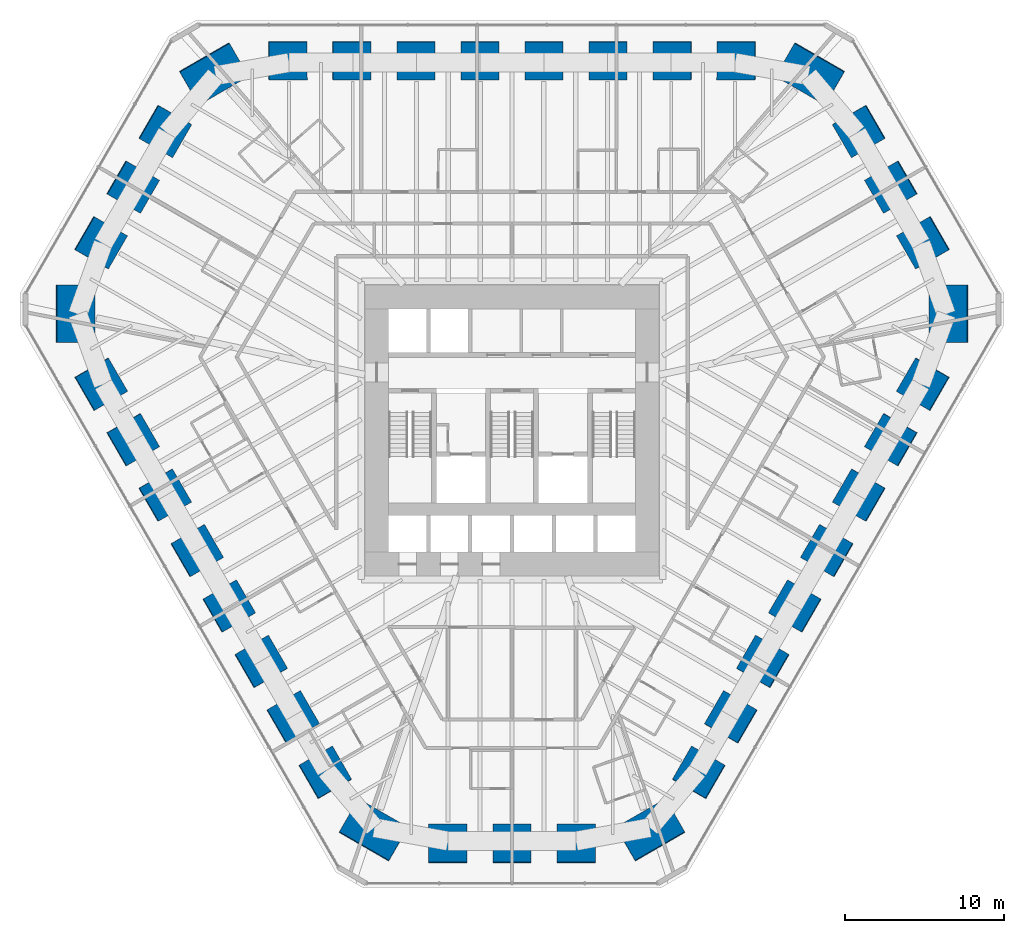
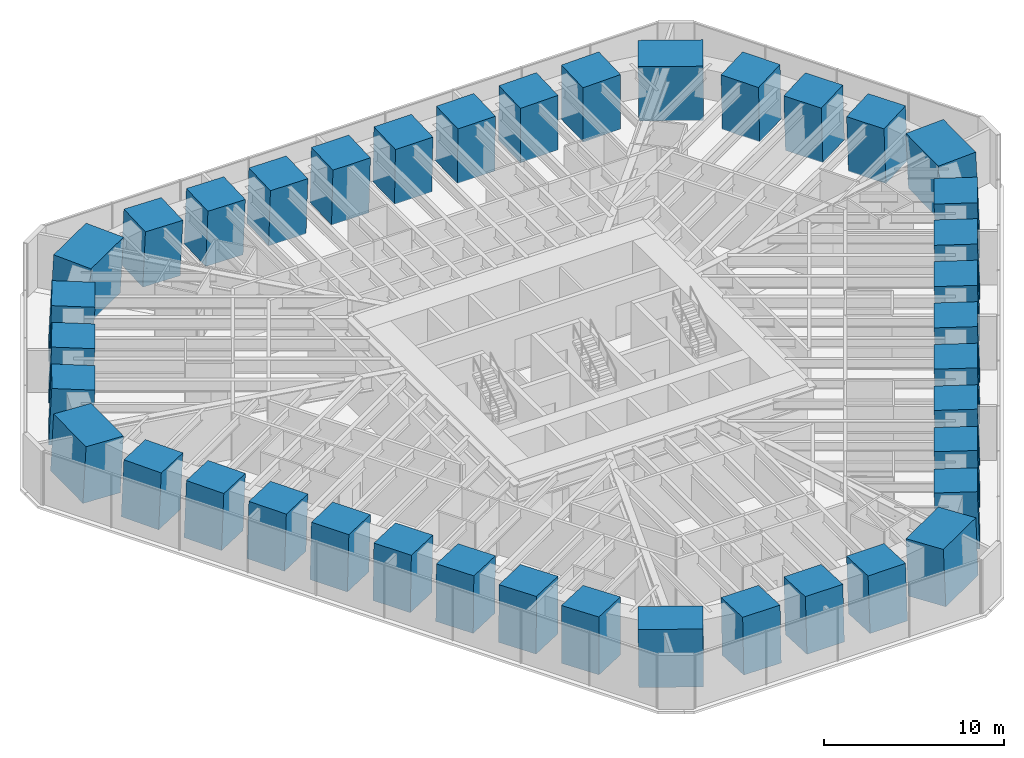
# One storey, part 1 of 17: 39 columns.
"""IFC4 building model written with IfcOpenShell, lengths in metres."""

from ifc_helpers import new_model, si_unit, direction, frame, origin, origin_2d, place, context, subcontext, project, spatial, rectangle, extrude, material, material_profile, profile_set, type_object, element, save


model = new_model("IFC4")

# Units and contexts
model_context = context("Model", 3, precision=1e-05, world=origin(), true_north=direction((0.0, 1.0)))
body_context = subcontext(model_context, "Body", "Model", "MODEL_VIEW")
ifc_project = project(units=[si_unit("LENGTHUNIT", "METRE"), si_unit("AREAUNIT", "SQUARE_METRE"), si_unit("VOLUMEUNIT", "CUBIC_METRE"), si_unit("PLANEANGLEUNIT", "RADIAN"), si_unit("MASSUNIT", "GRAM", prefix="KILO")], contexts=[model_context])

# Site, building, storey
site_placement = place(None, origin())
site = spatial("IfcSite", under=ifc_project, at=site_placement, CompositionType="ELEMENT")
building_placement = place(site_placement, origin())
building = spatial("IfcBuilding", under=site, at=building_placement, Name="Sandreach Pilgrim Tower", CompositionType="ELEMENT")
storey_placement = place(building_placement, frame((0.0, 0.0, 83.800048828125)))
storey = spatial("IfcBuildingStorey", under=building, at=storey_placement, Name="L20", CompositionType="ELEMENT", Elevation=83.800048828125)

# Columns
ifc_material_1 = material(Name="Concrete 10000 psi", Category="concrete")
ifc_material_profile_1 = material_profile(ifc_material_1, rectangle(XDim=2.39990234375, YDim=2.39990234375, at=origin_2d()), Name="RC2400X2400")
ifc_profile_set_1 = profile_set([ifc_material_profile_1], Name="Concrete 10000 psi")
column_type_1 = type_object("IfcColumnType", Name="Raked tube column RC2400X2400", PredefinedType="COLUMN", material=ifc_profile_set_1)
column_1_placement = place(storey_placement, frame((-14.098388671875, 21.708740234375, 0.0), z_axis=(0.02387684412, -0.036713857088, 0.999040534219), x_axis=(0.000229526905, 0.999325609369, 0.036718847706)))
element("IfcColumn", 1, at=column_1_placement, inside=storey, type_object=column_type_1, Name="COL L20 T01", PredefinedType="COLUMN", context=body_context, shape_type="SweptSolid", body=[
    extrude(rectangle(XDim=2.39990234375, YDim=2.39990234375, at=origin_2d()), origin(), (0.0, 0.0, 1.0), 3.8037109375),
])
column_2_placement = place(storey_placement, frame((-10.0703125, 21.708984375, 0.0), z_axis=(0.017011430722, -0.036719012729, 0.999180827142), x_axis=(0.001112013962, 0.99932551115, 0.036705397281)))
element("IfcColumn", 2, at=column_2_placement, inside=storey, type_object=column_type_1, Name="COL L20 T02", PredefinedType="COLUMN", context=body_context, shape_type="SweptSolid", body=[
    extrude(rectangle(XDim=2.39990234375, YDim=2.39990234375, at=origin_2d()), origin(), (0.0, 0.0, 1.0), 3.80322265625),
])
for number, where, z_axis, x_axis, name in (
    (3, (-6.042236328125, 21.709228515625, 0.0), (0.01020782781, -0.036658299869, 0.999275722362), (0.00025244801, 0.9993278512, 0.036657633396), "COL L20 T03"),
    (4, (-2.01416015625, 21.709716796875, 0.0), (0.003402758843, -0.036724114306, 0.999319648892), (0.000242365854, 0.999325435323, 0.036723501678), "COL L20 T04"),
    (5, (2.01416015625, 21.709716796875, 0.0), (-0.003402758843, -0.036724114306, 0.999319648892), (-0.000242365854, 0.999325435323, 0.036723501678), "COL L20 T05"),
    (6, (6.042236328125, 21.709228515625, 0.0), (-0.01020782781, -0.036658299869, 0.999275722362), (-0.00025244801, 0.9993278512, 0.036657633396), "COL L20 T06"),
):
    element("IfcColumn", number, at=place(storey_placement, frame(where, z_axis=z_axis, x_axis=x_axis)), inside=storey, type_object=column_type_1, Name=name, PredefinedType="COLUMN", context=body_context, shape_type="SweptSolid", body=[
        extrude(rectangle(XDim=2.39990234375, YDim=2.39990234375, at=origin_2d()), origin(), (0.0, 0.0, 1.0), 3.802734375),
    ])
column_3_placement = place(storey_placement, frame((10.0703125, 21.708984375, 0.0), z_axis=(-0.017011430722, -0.036719012729, 0.999180827142), x_axis=(-0.001112013962, 0.99932551115, 0.036705397281)))
element("IfcColumn", 7, at=column_3_placement, inside=storey, type_object=column_type_1, Name="COL L20 T07", PredefinedType="COLUMN", context=body_context, shape_type="SweptSolid", body=[
    extrude(rectangle(XDim=2.39990234375, YDim=2.39990234375, at=origin_2d()), origin(), (0.0, 0.0, 1.0), 3.80322265625),
])
column_4_placement = place(storey_placement, frame((14.098388671875, 21.708740234375, 0.0), z_axis=(-0.02387684412, -0.036713857088, 0.999040534219), x_axis=(-0.000229526905, 0.999325609369, 0.036718847706)))
element("IfcColumn", 8, at=column_4_placement, inside=storey, type_object=column_type_1, Name="COL L20 T08", PredefinedType="COLUMN", context=body_context, shape_type="SweptSolid", body=[
    extrude(rectangle(XDim=2.39990234375, YDim=2.39990234375, at=origin_2d()), origin(), (0.0, 0.0, 1.0), 3.8037109375),
])
column_5_placement = place(storey_placement, frame((21.8173828125, 17.26416015625, 0.0), z_axis=(-0.036388620428, -0.028815680022, 0.998922181598), x_axis=(0.865087115008, 0.499515154746, 0.045922691853)))
element("IfcColumn", 9, at=column_5_placement, inside=storey, type_object=column_type_1, Name="COL L20 T10", PredefinedType="COLUMN", context=body_context, shape_type="SweptSolid", body=[
    extrude(rectangle(XDim=2.39990234375, YDim=2.39990234375, at=origin_2d()), origin(), (0.0, 0.0, 1.0), 3.80419921875),
])
column_6_placement = place(storey_placement, frame((23.8388671875, 13.763427734375, 0.0), z_axis=(-0.039726810938, -0.022976087748, 0.99894638489), x_axis=(0.864737544121, 0.500122844581, 0.045892484303)))
element("IfcColumn", 10, at=column_6_placement, inside=storey, type_object=column_type_1, Name="COL L20 T11", PredefinedType="COLUMN", context=body_context, shape_type="SweptSolid", body=[
    extrude(rectangle(XDim=2.39990234375, YDim=2.39990234375, at=origin_2d()), origin(), (0.0, 0.0, 1.0), 3.803955078125),
])
column_7_placement = place(storey_placement, frame((25.85986328125, 10.26220703125, 0.0), z_axis=(-0.043127320452, -0.017071231012, 0.998923724467), x_axis=(0.865394297081, 0.498985805563, 0.045889829227)))
element("IfcColumn", 11, at=column_7_placement, inside=storey, type_object=column_type_1, Name="COL L20 T12", PredefinedType="COLUMN", context=body_context, shape_type="SweptSolid", body=[
    extrude(rectangle(XDim=2.39990234375, YDim=2.39990234375, at=origin_2d()), origin(), (0.0, 0.0, 1.0), 3.80419921875),
])
column_8_placement = place(storey_placement, frame((25.849365234375, 1.355224609375, 0.0), z_axis=(-0.043646012392, -0.002310671244, 0.999044386602), x_axis=(0.865264633643, -0.499974250238, 0.036645093342)))
element("IfcColumn", 12, at=column_8_placement, inside=storey, type_object=column_type_1, Name="COL L20 T14", PredefinedType="COLUMN", context=body_context, shape_type="SweptSolid", body=[
    extrude(rectangle(XDim=2.39990234375, YDim=2.39990234375, at=origin_2d()), origin(), (0.0, 0.0, 1.0), 3.8037109375),
])
column_9_placement = place(storey_placement, frame((23.835693359375, -2.13330078125, 0.0), z_axis=(-0.040313871888, 0.003594867557, 0.999180598621), x_axis=(0.865292276739, -0.499921607788, 0.036710514605)))
element("IfcColumn", 13, at=column_9_placement, inside=storey, type_object=column_type_1, Name="COL L20 T15", PredefinedType="COLUMN", context=body_context, shape_type="SweptSolid", body=[
    extrude(rectangle(XDim=2.39990234375, YDim=2.39990234375, at=origin_2d()), origin(), (0.0, 0.0, 1.0), 3.80322265625),
])
for number, where, z_axis, x_axis, name in (
    (14, (21.822021484375, -5.621826171875, 0.0), (-0.036915008746, 0.009501602251, 0.99927323675), (0.865363128074, -0.499798223787, 0.036720458449), "COL L20 T16"),
    (15, (19.80810546875, -9.110595703125, 0.0), (-0.033513958168, 0.015408716399, 0.999319461467), (0.865447927191, -0.499650776395, 0.03672855794), "COL L20 T17"),
    (16, (17.7939453125, -12.59912109375, 0.0), (-0.03004704875, 0.021315427745, 0.999321183305), (0.86505590375, -0.500332597724, 0.036682080655), "COL L20 T18"),
    (17, (15.77978515625, -16.08740234375, 0.0), (-0.026707189651, 0.027220789452, 0.999272612775), (0.865695316087, -0.499221464256, 0.036736212807), "COL L20 T19"),
):
    element("IfcColumn", number, at=place(storey_placement, frame(where, z_axis=z_axis, x_axis=x_axis)), inside=storey, type_object=column_type_1, Name=name, PredefinedType="COLUMN", context=body_context, shape_type="SweptSolid", body=[
        extrude(rectangle(XDim=2.39990234375, YDim=2.39990234375, at=origin_2d()), origin(), (0.0, 0.0, 1.0), 3.802734375),
    ])
column_10_placement = place(storey_placement, frame((13.765380859375, -19.57568359375, 0.0), z_axis=(-0.023238261526, 0.033124151789, 0.999181051546), x_axis=(0.865206497884, -0.500070793742, 0.036700371462)))
element("IfcColumn", 18, at=column_10_placement, inside=storey, type_object=column_type_1, Name="COL L20 T20", PredefinedType="COLUMN", context=body_context, shape_type="SweptSolid", body=[
    extrude(rectangle(XDim=2.39990234375, YDim=2.39990234375, at=origin_2d()), origin(), (0.0, 0.0, 1.0), 3.80322265625),
])
column_11_placement = place(storey_placement, frame((11.751220703125, -23.06396484375, 0.0), z_axis=(-0.019897362067, 0.039024503667, 0.999040130874), x_axis=(0.866022381672, -0.498654584, 0.03672656122)))
element("IfcColumn", 19, at=column_11_placement, inside=storey, type_object=column_type_1, Name="COL L20 T21", PredefinedType="COLUMN", context=body_context, shape_type="SweptSolid", body=[
    extrude(rectangle(XDim=2.39990234375, YDim=2.39990234375, at=origin_2d()), origin(), (0.0, 0.0, 1.0), 3.8037109375),
])
column_12_placement = place(storey_placement, frame((4.04248046875, -27.5263671875, 0.0), z_axis=(-0.00673864507, 0.045886964046, 0.998923909611), x_axis=(-0.00031485931, -0.998946638466, 0.045885884117)))
element("IfcColumn", 20, at=column_12_placement, inside=storey, type_object=column_type_1, Name="COL L20 T23", PredefinedType="COLUMN", context=body_context, shape_type="SweptSolid", body=[
    extrude(rectangle(XDim=2.39990234375, YDim=2.39990234375, at=origin_2d()), origin(), (0.0, 0.0, 1.0), 3.80419921875),
])
column_13_placement = place(storey_placement, frame((0.0, -27.52685546875, 0.0), z_axis=(0.0, 0.04588800593, 0.99894659062), x_axis=(0.0, -0.99894659062, 0.04588800593)))
element("IfcColumn", 21, at=column_13_placement, inside=storey, type_object=column_type_1, Name="COL L20 T24", PredefinedType="COLUMN", context=body_context, shape_type="SweptSolid", body=[
    extrude(rectangle(XDim=2.39990234375, YDim=2.39990234375, at=origin_2d()), origin(), (0.0, 0.0, 1.0), 3.803955078125),
])
column_14_placement = place(storey_placement, frame((-4.04248046875, -27.5263671875, 0.0), z_axis=(0.00673864507, 0.045886964046, 0.998923909611), x_axis=(0.00031485931, -0.998946638466, 0.045885884117)))
element("IfcColumn", 22, at=column_14_placement, inside=storey, type_object=column_type_1, Name="COL L20 T25", PredefinedType="COLUMN", context=body_context, shape_type="SweptSolid", body=[
    extrude(rectangle(XDim=2.39990234375, YDim=2.39990234375, at=origin_2d()), origin(), (0.0, 0.0, 1.0), 3.80419921875),
])
column_15_placement = place(storey_placement, frame((-11.751220703125, -23.06396484375, 0.0), z_axis=(0.019897362067, 0.039024503667, 0.999040130874), x_axis=(-0.866022381672, -0.498654584, 0.03672656122)))
element("IfcColumn", 23, at=column_15_placement, inside=storey, type_object=column_type_1, Name="COL L20 T27", PredefinedType="COLUMN", context=body_context, shape_type="SweptSolid", body=[
    extrude(rectangle(XDim=2.39990234375, YDim=2.39990234375, at=origin_2d()), origin(), (0.0, 0.0, 1.0), 3.8037109375),
])
column_16_placement = place(storey_placement, frame((-13.765380859375, -19.57568359375, 0.0), z_axis=(0.023238261526, 0.033124151789, 0.999181051546), x_axis=(-0.865206497884, -0.500070793742, 0.036700371462)))
element("IfcColumn", 24, at=column_16_placement, inside=storey, type_object=column_type_1, Name="COL L20 T28", PredefinedType="COLUMN", context=body_context, shape_type="SweptSolid", body=[
    extrude(rectangle(XDim=2.39990234375, YDim=2.39990234375, at=origin_2d()), origin(), (0.0, 0.0, 1.0), 3.80322265625),
])
for number, where, z_axis, x_axis, name in (
    (25, (-15.77978515625, -16.08740234375, 0.0), (0.026707189651, 0.027220789452, 0.999272612775), (-0.865695316087, -0.499221464256, 0.036736212807), "COL L20 T29"),
    (26, (-17.7939453125, -12.59912109375, 0.0), (0.03004704875, 0.021315427745, 0.999321183305), (-0.86505590375, -0.500332597724, 0.036682080655), "COL L20 T30"),
    (27, (-19.80810546875, -9.110595703125, 0.0), (0.033513958168, 0.015408716399, 0.999319461467), (-0.865447927191, -0.499650776395, 0.03672855794), "COL L20 T31"),
    (28, (-21.822021484375, -5.621826171875, 0.0), (0.036915008746, 0.009501602251, 0.99927323675), (-0.865363128074, -0.499798223787, 0.036720458449), "COL L20 T32"),
):
    element("IfcColumn", number, at=place(storey_placement, frame(where, z_axis=z_axis, x_axis=x_axis)), inside=storey, type_object=column_type_1, Name=name, PredefinedType="COLUMN", context=body_context, shape_type="SweptSolid", body=[
        extrude(rectangle(XDim=2.39990234375, YDim=2.39990234375, at=origin_2d()), origin(), (0.0, 0.0, 1.0), 3.802734375),
    ])
column_17_placement = place(storey_placement, frame((-23.835693359375, -2.13330078125, 0.0), z_axis=(0.040313871888, 0.003594867557, 0.999180598621), x_axis=(-0.865292276739, -0.499921607788, 0.036710514605)))
element("IfcColumn", 29, at=column_17_placement, inside=storey, type_object=column_type_1, Name="COL L20 T33", PredefinedType="COLUMN", context=body_context, shape_type="SweptSolid", body=[
    extrude(rectangle(XDim=2.39990234375, YDim=2.39990234375, at=origin_2d()), origin(), (0.0, 0.0, 1.0), 3.80322265625),
])
column_18_placement = place(storey_placement, frame((-25.849365234375, 1.355224609375, 0.0), z_axis=(0.043646012392, -0.002310671244, 0.999044386602), x_axis=(-0.865264633643, -0.499974250238, 0.036645093342)))
element("IfcColumn", 30, at=column_18_placement, inside=storey, type_object=column_type_1, Name="COL L20 T34", PredefinedType="COLUMN", context=body_context, shape_type="SweptSolid", body=[
    extrude(rectangle(XDim=2.39990234375, YDim=2.39990234375, at=origin_2d()), origin(), (0.0, 0.0, 1.0), 3.8037109375),
])
column_19_placement = place(storey_placement, frame((-25.85986328125, 10.26220703125, 0.0), z_axis=(0.043127320452, -0.017071231012, 0.998923724467), x_axis=(-0.865394297081, 0.498985805563, 0.045889829227)))
element("IfcColumn", 31, at=column_19_placement, inside=storey, type_object=column_type_1, Name="COL L20 T36", PredefinedType="COLUMN", context=body_context, shape_type="SweptSolid", body=[
    extrude(rectangle(XDim=2.39990234375, YDim=2.39990234375, at=origin_2d()), origin(), (0.0, 0.0, 1.0), 3.80419921875),
])
column_20_placement = place(storey_placement, frame((-23.8388671875, 13.763427734375, 0.0), z_axis=(0.039726810938, -0.022976087748, 0.99894638489), x_axis=(-0.864737544121, 0.500122844581, 0.045892484303)))
element("IfcColumn", 32, at=column_20_placement, inside=storey, type_object=column_type_1, Name="COL L20 T37", PredefinedType="COLUMN", context=body_context, shape_type="SweptSolid", body=[
    extrude(rectangle(XDim=2.39990234375, YDim=2.39990234375, at=origin_2d()), origin(), (0.0, 0.0, 1.0), 3.803955078125),
])
column_21_placement = place(storey_placement, frame((-21.8173828125, 17.26416015625, 0.0), z_axis=(0.036388620428, -0.028815680022, 0.998922181598), x_axis=(-0.865087115008, 0.499515154746, 0.045922691853)))
element("IfcColumn", 33, at=column_21_placement, inside=storey, type_object=column_type_1, Name="COL L20 T38", PredefinedType="COLUMN", context=body_context, shape_type="SweptSolid", body=[
    extrude(rectangle(XDim=2.39990234375, YDim=2.39990234375, at=origin_2d()), origin(), (0.0, 0.0, 1.0), 3.80419921875),
])
ifc_material_2 = material(Name="Concrete 10000 psi", Category="concrete")
ifc_material_profile_2 = material_profile(ifc_material_2, rectangle(XDim=2.39990234375, YDim=3.60009765625, at=origin_2d()), Name="RC2400X3600")
ifc_profile_set_2 = profile_set([ifc_material_profile_2], Name="Concrete 10000 psi")
column_type_2 = type_object("IfcColumnType", Name="Raked tube corner pier RC2400X3600", PredefinedType="COLUMN", material=ifc_profile_set_2)
for number, where, z_axis, x_axis, name in (
    (34, (18.7529296875, 20.884521484375, 0.0), (-0.031958207844, -0.035616075007, 0.998854427909), (0.498742821138, 0.865484661248, 0.046817726432), "COL L20 T09"),
    (35, (27.462890625, 5.79833984375, 0.0), (-0.04678227982, -0.009882676395, 0.998856221386), (0.998905103639, -0.000352183695, 0.046781084758), "COL L20 T13"),
    (36, (8.7099609375, -26.6826171875, 0.0), (-0.014824030832, 0.0454346919, 0.998857315577), (0.499731843942, -0.864917167509, 0.046758715743), "COL L20 T22"),
    (37, (-8.7099609375, -26.6826171875, 0.0), (0.014824030832, 0.0454346919, 0.998857315577), (-0.499731843942, -0.864917167509, 0.046758715743), "COL L20 T26"),
    (38, (-27.462890625, 5.79833984375, 0.0), (0.04678227982, -0.009882676395, 0.998856221386), (-0.998905103639, -0.000352183695, 0.046781084758), "COL L20 T35"),
    (39, (-18.7529296875, 20.884521484375, 0.0), (0.031958207844, -0.035616075007, 0.998854427909), (-0.498742821138, 0.865484661248, 0.046817726432), "COL L20 T39"),
):
    element("IfcColumn", number, at=place(storey_placement, frame(where, z_axis=z_axis, x_axis=x_axis)), inside=storey, type_object=column_type_2, Name=name, PredefinedType="COLUMN", context=body_context, shape_type="SweptSolid", body=[
        extrude(rectangle(XDim=2.39990234375, YDim=3.60009765625, at=origin_2d()), origin(), (0.0, 0.0, 1.0), 3.804443359375),
    ])

save(model, "model.ifc")
